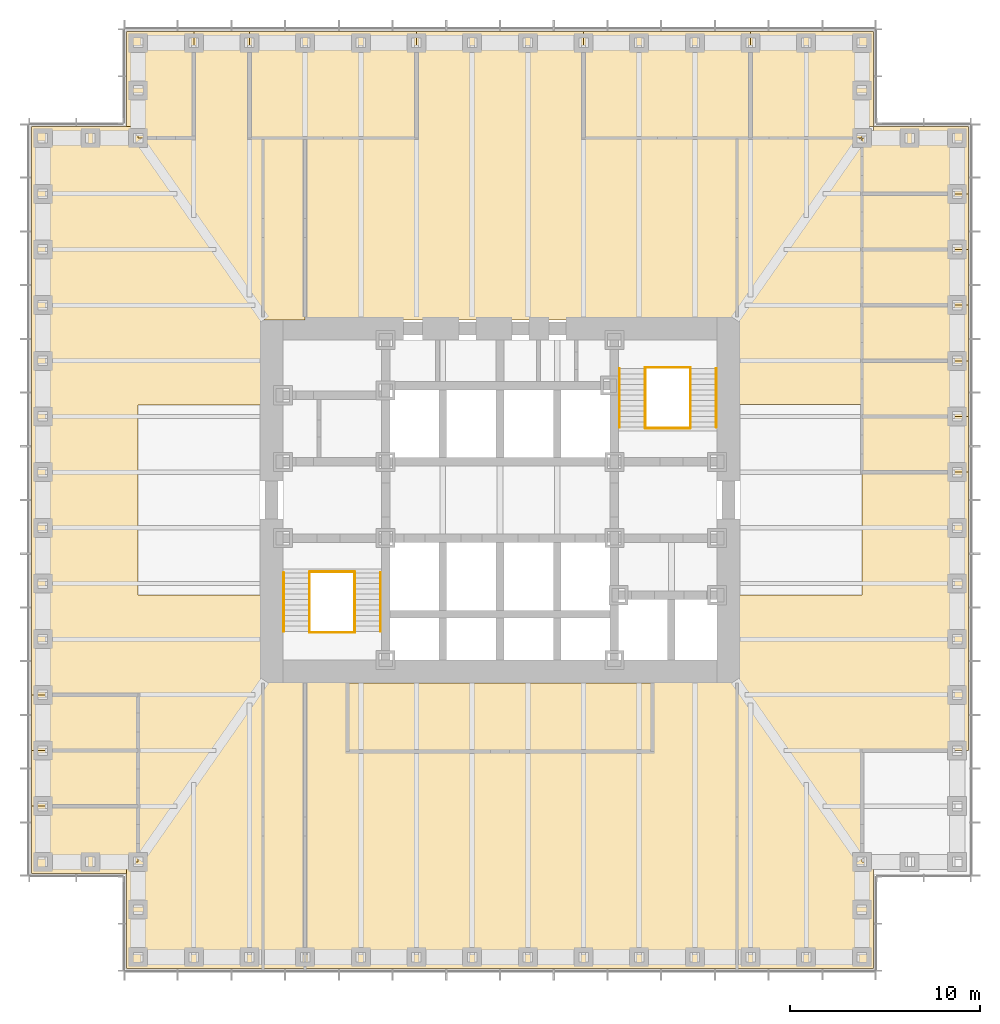
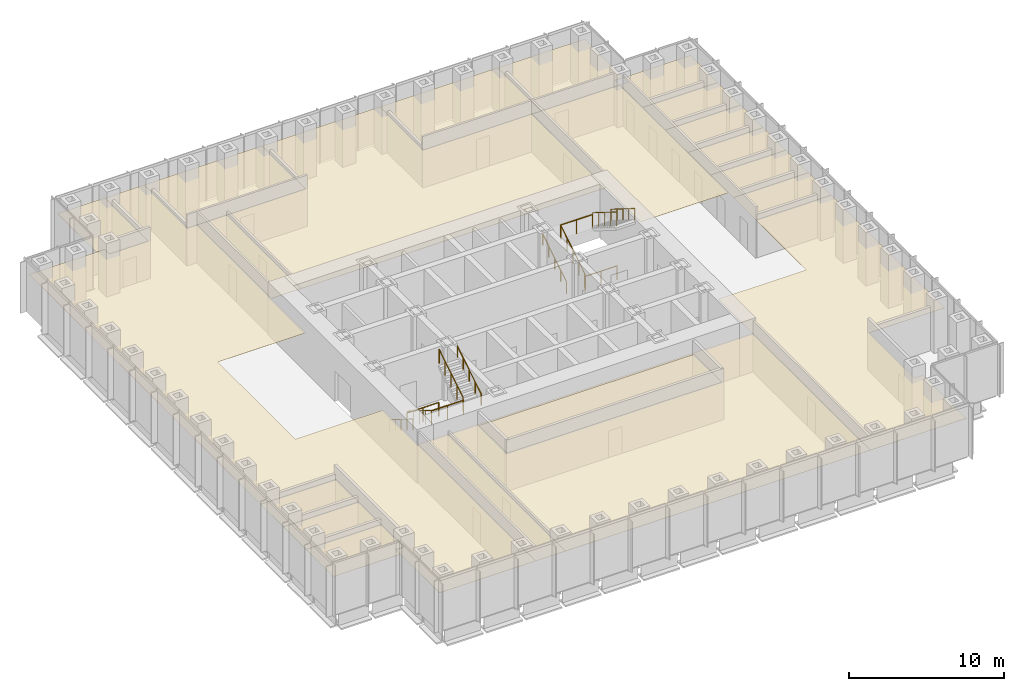
# One storey, part 16 of 16: 21 coverings, 12 railings.
"""IFC4 building model written with IfcOpenShell, lengths in metres."""

from ifc_helpers import new_model, si_unit, direction, frame, origin, origin_2d, place, context, subcontext, project, spatial, polyline, circle, outline, extrude, material, layer, layer_set, type_object, element, save


model = new_model("IFC4")

# Units and contexts
model_context = context("Model", 3, precision=1e-05, world=origin(), true_north=direction((0.0, 1.0)))
body_context = subcontext(model_context, "Body", "Model", "MODEL_VIEW")
ifc_project = project(units=[si_unit("LENGTHUNIT", "METRE"), si_unit("AREAUNIT", "SQUARE_METRE"), si_unit("VOLUMEUNIT", "CUBIC_METRE"), si_unit("PLANEANGLEUNIT", "RADIAN"), si_unit("MASSUNIT", "GRAM", prefix="KILO")], contexts=[model_context])

# Site, building, storey
site_placement = place(None, origin())
site = spatial("IfcSite", under=ifc_project, at=site_placement, CompositionType="ELEMENT")
building_placement = place(site_placement, origin())
building = spatial("IfcBuilding", under=site, at=building_placement, Name="Daluyong Arena Tower", CompositionType="ELEMENT")
storey_placement = place(building_placement, frame((0.0, 0.0, 51.699951171875)))
storey = spatial("IfcBuildingStorey", under=building, at=storey_placement, Name="L10", CompositionType="ELEMENT", Elevation=51.699951171875)

# Coverings
ifc_material_1 = material(Name="Mineral fibre ceiling tile", Category="gypsum board")
ifc_layer = layer(ifc_material_1, 0.02001953125)
ifc_layer_set = layer_set([ifc_layer], Name="Mineral fibre ceiling tile")
covering_type = type_object("IfcCoveringType", Name="Office ceiling", PredefinedType="CEILING", material=ifc_layer_set)
covering_1_placement = place(storey_placement, frame((0.0, 0.0, 2.900146484375)))
element("IfcCovering", 1, at=covering_1_placement, inside=storey, type_object=covering_type, Name="ceiling L10-02", PredefinedType="CEILING", context=body_context, shape_type="SweptSolid", body=[
    extrude(outline(polyline([(75.0, 81.46142578125), (80.60009765625, 81.46142578125), (80.60009765625, 84.384521484375), (75.0, 84.384521484375), (75.0, 81.46142578125)])), origin(), (0.0, 0.0, 1.0), 0.02001953125),
])
covering_2_placement = place(storey_placement, frame((0.0, 0.0, 2.900146484375)))
element("IfcCovering", 2, at=covering_2_placement, inside=storey, type_object=covering_type, Name="ceiling L10-03", PredefinedType="CEILING", context=body_context, shape_type="SweptSolid", body=[
    extrude(outline(polyline([(75.0, 84.384521484375), (80.60009765625, 84.384521484375), (80.60009765625, 87.3076171875), (75.0, 87.3076171875), (75.0, 84.384521484375)])), origin(), (0.0, 0.0, 1.0), 0.02001953125),
])
covering_3_placement = place(storey_placement, frame((0.0, 0.0, 2.900146484375)))
element("IfcCovering", 3, at=covering_3_placement, inside=storey, type_object=covering_type, Name="ceiling L10-04", PredefinedType="CEILING", context=body_context, shape_type="SweptSolid", body=[
    extrude(outline(polyline([(75.0, 87.3076171875), (80.60009765625, 87.3076171875), (80.60009765625, 90.230712890625), (75.0, 90.230712890625), (75.0, 87.3076171875)])), origin(), (0.0, 0.0, 1.0), 0.02001953125),
])
covering_4_placement = place(storey_placement, frame((0.0, 0.0, 2.900146484375)))
element("IfcCovering", 4, at=covering_4_placement, inside=storey, type_object=covering_type, Name="ceiling L10-05", PredefinedType="CEILING", context=body_context, shape_type="SweptSolid", body=[
    extrude(outline(polyline([(75.0, 90.230712890625), (80.60009765625, 90.230712890625), (80.60009765625, 93.15380859375), (75.0, 93.15380859375), (75.0, 90.230712890625)])), origin(), (0.0, 0.0, 1.0), 0.02001953125),
])
covering_5_placement = place(storey_placement, frame((0.0, 0.0, 2.900146484375)))
element("IfcCovering", 5, at=covering_5_placement, inside=storey, type_object=covering_type, Name="ceiling L10-06", PredefinedType="CEILING", context=body_context, shape_type="SweptSolid", body=[
    extrude(outline(polyline([(75.0, 93.15380859375), (80.60009765625, 93.15380859375), (80.60009765625, 96.076904296875), (75.0, 96.076904296875), (75.0, 93.15380859375)])), origin(), (0.0, 0.0, 1.0), 0.02001953125),
])
covering_6_placement = place(storey_placement, frame((0.0, 0.0, 2.900146484375)))
element("IfcCovering", 6, at=covering_6_placement, inside=storey, type_object=covering_type, Name="ceiling L10-07", PredefinedType="CEILING", context=body_context, shape_type="SweptSolid", body=[
    extrude(outline(polyline([(75.0, 96.076904296875), (80.60009765625, 96.076904296875), (80.60009765625, 99.60009765625), (75.60009765625, 99.60009765625), (75.60009765625, 99.0), (75.0, 99.0), (75.0, 96.076904296875)])), origin(), (0.0, 0.0, 1.0), 0.02001953125),
])
covering_7_placement = place(storey_placement, frame((0.0, 0.0, 2.900146484375)))
element("IfcCovering", 7, at=covering_7_placement, inside=storey, type_object=covering_type, Name="ceiling L10-08", PredefinedType="CEILING", context=body_context, shape_type="SweptSolid", body=[
    extrude(outline(polyline([(39.923095703125, 99.0), (39.923095703125, 104.60009765625), (36.39990234375, 104.60009765625), (36.39990234375, 99.60009765625), (37.0, 99.60009765625), (37.0, 99.0), (39.923095703125, 99.0)])), origin(), (0.0, 0.0, 1.0), 0.02001953125),
])
covering_8_placement = place(storey_placement, frame((0.0, 0.0, 2.900146484375)))
element("IfcCovering", 8, at=covering_8_placement, inside=storey, type_object=covering_type, Name="ceiling L10-09", PredefinedType="CEILING", context=body_context, shape_type="SweptSolid", body=[
    extrude(outline(polyline([(51.615478515625, 99.0), (51.615478515625, 104.60009765625), (42.84619140625, 104.60009765625), (42.84619140625, 99.0), (51.615478515625, 99.0)])), origin(), (0.0, 0.0, 1.0), 0.02001953125),
])
covering_9_placement = place(storey_placement, frame((0.0, 0.0, 2.900146484375)))
element("IfcCovering", 9, at=covering_9_placement, inside=storey, type_object=covering_type, Name="ceiling L10-10", PredefinedType="CEILING", context=body_context, shape_type="SweptSolid", body=[
    extrude(outline(polyline([(69.15380859375, 99.0), (69.15380859375, 104.60009765625), (60.384521484375, 104.60009765625), (60.384521484375, 99.0), (69.15380859375, 99.0)])), origin(), (0.0, 0.0, 1.0), 0.02001953125),
])
covering_10_placement = place(storey_placement, frame((0.0, 0.0, 2.900146484375)))
element("IfcCovering", 10, at=covering_10_placement, inside=storey, type_object=covering_type, Name="ceiling L10-11", PredefinedType="CEILING", context=body_context, shape_type="SweptSolid", body=[
    extrude(outline(polyline([(69.15380859375, 99.0), (75.0, 99.0), (75.0, 99.60009765625), (75.60009765625, 99.60009765625), (75.60009765625, 104.60009765625), (69.15380859375, 104.60009765625), (69.15380859375, 99.0)])), origin(), (0.0, 0.0, 1.0), 0.02001953125),
])
covering_11_placement = place(storey_placement, frame((0.0, 0.0, 2.900146484375)))
element("IfcCovering", 11, at=covering_11_placement, inside=storey, type_object=covering_type, Name="ceiling L10-12", PredefinedType="CEILING", context=body_context, shape_type="SweptSolid", body=[
    extrude(outline(polyline([(31.39990234375, 60.39990234375), (36.39990234375, 60.39990234375), (36.39990234375, 61.0), (37.0, 61.0), (37.0, 63.923095703125), (31.39990234375, 63.923095703125), (31.39990234375, 60.39990234375)])), origin(), (0.0, 0.0, 1.0), 0.02001953125),
])
covering_12_placement = place(storey_placement, frame((0.0, 0.0, 2.900146484375)))
element("IfcCovering", 12, at=covering_12_placement, inside=storey, type_object=covering_type, Name="ceiling L10-13", PredefinedType="CEILING", context=body_context, shape_type="SweptSolid", body=[
    extrude(outline(polyline([(37.0, 66.84619140625), (31.39990234375, 66.84619140625), (31.39990234375, 63.923095703125), (37.0, 63.923095703125), (37.0, 66.84619140625)])), origin(), (0.0, 0.0, 1.0), 0.02001953125),
])
covering_13_placement = place(storey_placement, frame((0.0, 0.0, 2.900146484375)))
element("IfcCovering", 13, at=covering_13_placement, inside=storey, type_object=covering_type, Name="ceiling L10-14", PredefinedType="CEILING", context=body_context, shape_type="SweptSolid", body=[
    extrude(outline(polyline([(37.0, 69.769287109375), (31.39990234375, 69.769287109375), (31.39990234375, 66.84619140625), (37.0, 66.84619140625), (37.0, 69.769287109375)])), origin(), (0.0, 0.0, 1.0), 0.02001953125),
])
covering_14_placement = place(storey_placement, frame((0.0, 0.0, 2.900146484375)))
element("IfcCovering", 14, at=covering_14_placement, inside=storey, type_object=covering_type, Name="ceiling L10-15", PredefinedType="CEILING", context=body_context, shape_type="SweptSolid", body=[
    extrude(outline(polyline([(48.0, 66.800048828125), (64.0, 66.800048828125), (64.0, 70.39990234375), (48.0, 70.39990234375), (48.0, 66.800048828125)])), origin(), (0.0, 0.0, 1.0), 0.02001953125),
])
covering_15_placement = place(storey_placement, frame((0.0, 0.0, 2.900146484375)))
element("IfcCovering", 15, at=covering_15_placement, inside=storey, type_object=covering_type, Name="ceiling L10-18", PredefinedType="CEILING", context=body_context, shape_type="SweptSolid", body=[
    extrude(outline(polyline([(74.989990234375, 98.989990234375), (68.4599609375, 98.989990234375), (68.4599609375, 85.010009765625), (74.989990234375, 85.010009765625), (74.989990234375, 98.989990234375)])), origin(), (0.0, 0.0, 1.0), 0.02001953125),
])
covering_16_placement = place(storey_placement, frame((0.0, 0.0, 2.900146484375)))
element("IfcCovering", 16, at=covering_16_placement, inside=storey, type_object=covering_type, Name="ceiling L10-19", PredefinedType="CEILING", context=body_context, shape_type="SweptSolid", body=[
    extrude(outline(polyline([(68.449951171875, 75.0), (68.449951171875, 55.39990234375), (75.60009765625, 55.39990234375), (75.60009765625, 61.0), (75.0, 61.0), (75.0, 66.84619140625), (80.60009765625, 66.84619140625), (80.60009765625, 81.46142578125), (75.0, 81.46142578125), (75.0, 75.0), (68.449951171875, 75.0)])), origin(), (0.0, 0.0, 1.0), 0.02001953125),
])
covering_17_placement = place(storey_placement, frame((0.0, 0.0, 2.900146484375)))
element("IfcCovering", 17, at=covering_17_placement, inside=storey, type_object=covering_type, Name="ceiling L10-20", PredefinedType="CEILING", context=body_context, shape_type="SweptSolid", body=[
    extrude(outline(polyline([(37.0, 99.0), (37.0, 99.60009765625), (31.39990234375, 99.60009765625), (31.39990234375, 69.769287109375), (37.0, 69.769287109375), (37.0, 61.0), (36.39990234375, 61.0), (36.39990234375, 55.39990234375), (43.550048828125, 55.39990234375), (43.550048828125, 75.0), (37.0, 75.0), (37.0, 85.0), (43.550048828125, 85.0), (43.550048828125, 99.0), (42.84619140625, 99.0), (42.84619140625, 104.60009765625), (39.923095703125, 104.60009765625), (39.923095703125, 99.0), (37.0, 99.0)])), origin(), (0.0, 0.0, 1.0), 0.02001953125),
])
covering_18_placement = place(storey_placement, frame((0.0, 0.0, 2.900146484375)))
element("IfcCovering", 18, at=covering_18_placement, inside=storey, type_object=covering_type, Name="ceiling L10-21", PredefinedType="CEILING", context=body_context, shape_type="SweptSolid", body=[
    extrude(outline(polyline([(45.769287109375, 70.550048828125), (43.550048828125, 70.550048828125), (43.550048828125, 55.39990234375), (45.769287109375, 55.39990234375), (45.769287109375, 70.550048828125)])), origin(), (0.0, 0.0, 1.0), 0.02001953125),
])
covering_19_placement = place(storey_placement, frame((0.0, 0.0, 2.900146484375)))
element("IfcCovering", 19, at=covering_19_placement, inside=storey, type_object=covering_type, Name="ceiling L10-22", PredefinedType="CEILING", context=body_context, shape_type="SweptSolid", body=[
    extrude(outline(polyline([(68.449951171875, 70.550048828125), (45.769287109375, 70.550048828125), (45.769287109375, 55.39990234375), (68.449951171875, 55.39990234375), (68.449951171875, 70.550048828125)]), holes=[polyline([(48.0, 66.800048828125), (48.0, 70.39990234375), (64.0, 70.39990234375), (64.0, 66.800048828125), (48.0, 66.800048828125)])]), origin(), (0.0, 0.0, 1.0), 0.02001953125),
])
covering_20_placement = place(storey_placement, frame((0.0, 0.0, 2.900146484375)))
element("IfcCovering", 20, at=covering_20_placement, inside=storey, type_object=covering_type, Name="ceiling L10-23", PredefinedType="CEILING", context=body_context, shape_type="SweptSolid", body=[
    extrude(outline(polyline([(45.769287109375, 99.0), (43.550048828125, 99.0), (43.550048828125, 89.449951171875), (45.769287109375, 89.449951171875), (45.769287109375, 99.0)])), origin(), (0.0, 0.0, 1.0), 0.02001953125),
])
covering_21_placement = place(storey_placement, frame((0.0, 0.0, 2.900146484375)))
element("IfcCovering", 21, at=covering_21_placement, inside=storey, type_object=covering_type, Name="ceiling L10-24", PredefinedType="CEILING", context=body_context, shape_type="SweptSolid", body=[
    extrude(outline(polyline([(51.615478515625, 99.0), (45.769287109375, 99.0), (45.769287109375, 89.449951171875), (68.449951171875, 89.449951171875), (68.449951171875, 99.0), (60.384521484375, 99.0), (60.384521484375, 104.60009765625), (51.615478515625, 104.60009765625), (51.615478515625, 99.0)])), origin(), (0.0, 0.0, 1.0), 0.02001953125),
])

# Railings
ifc_material_2 = material(Name="Stainless steel handrail", Category="steel")
railing_type_1 = type_object("IfcRailingType", Name="Stair handrail", PredefinedType="HANDRAIL", material=ifc_material_2)
railing_1_placement = place(storey_placement, frame((44.64990234375, 76.175048828125, 0.175048828125)))
element("IfcRailing", 22, at=railing_1_placement, inside=storey, type_object=railing_type_1, Name="exit stair A handrail L10", PredefinedType="HANDRAIL", context=body_context, shape_type="SweptSolid", body=[
    extrude(circle(Radius=0.02392578125, at=origin_2d()), frame((0.0, 0.0, 0.8759765625), z_axis=(0.0, -0.847998304005, 0.529998940003), x_axis=(1.0, 0.0, 0.0)), (0.0, 0.0, 1.0), 3.632080078125),
    extrude(circle(Radius=0.02099609375, at=origin_2d()), origin(), (0.0, 0.0, 1.0), 0.851806640625),
    extrude(circle(Radius=0.02099609375, at=origin_2d()), frame((0.0, -0.77001953125, 0.481201171875)), (0.0, 0.0, 1.0), 0.851806640625),
    extrude(circle(Radius=0.02099609375, at=origin_2d()), frame((0.0, -1.5400390625, 0.96240234375)), (0.0, 0.0, 1.0), 0.851806640625),
    extrude(circle(Radius=0.02099609375, at=origin_2d()), frame((0.0, -2.31005859375, 1.44384765625)), (0.0, 0.0, 1.0), 0.851806640625),
    extrude(circle(Radius=0.02099609375, at=origin_2d()), frame((0.0, -3.080078125, 1.925048828125)), (0.0, 0.0, 1.0), 0.851806640625),
])
railing_2_placement = place(storey_placement, frame((49.72509765625, 73.094970703125, 2.275146484375)))
element("IfcRailing", 23, at=railing_2_placement, inside=storey, type_object=railing_type_1, Name="exit stair A handrail L10", PredefinedType="HANDRAIL", context=body_context, shape_type="SweptSolid", body=[
    extrude(circle(Radius=0.02392578125, at=origin_2d()), frame((0.0, 0.0, 0.8759765625), z_axis=(0.0, 0.848028513186, 0.529950602248), x_axis=(-1.0, 0.0, 0.0)), (0.0, 0.0, 1.0), 3.632080078125),
    extrude(circle(Radius=0.02099609375, at=origin_2d()), origin(), (0.0, 0.0, 1.0), 0.851806640625),
    extrude(circle(Radius=0.02099609375, at=origin_2d()), frame((0.0, 0.77001953125, 0.481201171875)), (0.0, 0.0, 1.0), 0.851806640625),
    extrude(circle(Radius=0.02099609375, at=origin_2d()), frame((0.0, 1.5400390625, 0.96240234375)), (0.0, 0.0, 1.0), 0.851806640625),
    extrude(circle(Radius=0.02099609375, at=origin_2d()), frame((0.0, 2.31005859375, 1.443603515625)), (0.0, 0.0, 1.0), 0.851806640625),
    extrude(circle(Radius=0.02099609375, at=origin_2d()), frame((0.0, 3.080078125, 1.9248046875)), (0.0, 0.0, 1.0), 0.851806640625),
])
railing_3_placement = place(storey_placement, frame((62.27490234375, 83.824951171875, 0.175048828125)))
element("IfcRailing", 24, at=railing_3_placement, inside=storey, type_object=railing_type_1, Name="exit stair B handrail L10", PredefinedType="HANDRAIL", context=body_context, shape_type="SweptSolid", body=[
    extrude(circle(Radius=0.02392578125, at=origin_2d()), frame((0.0, 0.0, 0.8759765625), z_axis=(0.0, 0.847998304005, 0.529998940003), x_axis=(-1.0, 0.0, 0.0)), (0.0, 0.0, 1.0), 3.632080078125),
    extrude(circle(Radius=0.02099609375, at=origin_2d()), origin(), (0.0, 0.0, 1.0), 0.851806640625),
    extrude(circle(Radius=0.02099609375, at=origin_2d()), frame((0.0, 0.77001953125, 0.481201171875)), (0.0, 0.0, 1.0), 0.851806640625),
    extrude(circle(Radius=0.02099609375, at=origin_2d()), frame((0.0, 1.5400390625, 0.96240234375)), (0.0, 0.0, 1.0), 0.851806640625),
    extrude(circle(Radius=0.02099609375, at=origin_2d()), frame((0.0, 2.31005859375, 1.44384765625)), (0.0, 0.0, 1.0), 0.851806640625),
    extrude(circle(Radius=0.02099609375, at=origin_2d()), frame((0.0, 3.080078125, 1.925048828125)), (0.0, 0.0, 1.0), 0.851806640625),
])
railing_4_placement = place(storey_placement, frame((67.35009765625, 86.905029296875, 2.275146484375)))
element("IfcRailing", 25, at=railing_4_placement, inside=storey, type_object=railing_type_1, Name="exit stair B handrail L10", PredefinedType="HANDRAIL", context=body_context, shape_type="SweptSolid", body=[
    extrude(circle(Radius=0.02392578125, at=origin_2d()), frame((0.0, 0.0, 0.8759765625), z_axis=(0.0, -0.848028513186, 0.529950602248), x_axis=(1.0, 0.0, 0.0)), (0.0, 0.0, 1.0), 3.632080078125),
    extrude(circle(Radius=0.02099609375, at=origin_2d()), origin(), (0.0, 0.0, 1.0), 0.851806640625),
    extrude(circle(Radius=0.02099609375, at=origin_2d()), frame((0.0, -0.77001953125, 0.481201171875)), (0.0, 0.0, 1.0), 0.851806640625),
    extrude(circle(Radius=0.02099609375, at=origin_2d()), frame((0.0, -1.5400390625, 0.96240234375)), (0.0, 0.0, 1.0), 0.851806640625),
    extrude(circle(Radius=0.02099609375, at=origin_2d()), frame((0.0, -2.31005859375, 1.443603515625)), (0.0, 0.0, 1.0), 0.851806640625),
    extrude(circle(Radius=0.02099609375, at=origin_2d()), frame((0.0, -3.080078125, 1.9248046875)), (0.0, 0.0, 1.0), 0.851806640625),
])
ifc_material_3 = material(Name="Steel balustrade", Category="steel")
railing_type_2 = type_object("IfcRailingType", Name="Stair well guard 1100", PredefinedType="GUARDRAIL", material=ifc_material_3)
railing_5_placement = place(storey_placement, frame((46.0, 76.175048828125, 0.175048828125)))
element("IfcRailing", 26, at=railing_5_placement, inside=storey, type_object=railing_type_2, Name="exit stair A well guard L10", PredefinedType="GUARDRAIL", context=body_context, shape_type="SweptSolid", body=[
    extrude(circle(Radius=0.02392578125, at=origin_2d()), frame((0.0, 0.0, 1.076171875), z_axis=(0.0, -0.847998304005, 0.529998940003), x_axis=(1.0, 0.0, 0.0)), (0.0, 0.0, 1.0), 3.632080078125),
    extrude(circle(Radius=0.02099609375, at=origin_2d()), origin(), (0.0, 0.0, 1.0), 1.052001953125),
    extrude(circle(Radius=0.02099609375, at=origin_2d()), frame((0.0, -0.77001953125, 0.481201171875)), (0.0, 0.0, 1.0), 1.052001953125),
    extrude(circle(Radius=0.02099609375, at=origin_2d()), frame((0.0, -1.5400390625, 0.96240234375)), (0.0, 0.0, 1.0), 1.052001953125),
    extrude(circle(Radius=0.02099609375, at=origin_2d()), frame((0.0, -2.31005859375, 1.44384765625)), (0.0, 0.0, 1.0), 1.052001953125),
    extrude(circle(Radius=0.02099609375, at=origin_2d()), frame((0.0, -3.080078125, 1.925048828125)), (0.0, 0.0, 1.0), 1.052001953125),
])
railing_6_placement = place(storey_placement, frame((48.375, 73.094970703125, 2.275146484375)))
element("IfcRailing", 27, at=railing_6_placement, inside=storey, type_object=railing_type_2, Name="exit stair A well guard L10", PredefinedType="GUARDRAIL", context=body_context, shape_type="SweptSolid", body=[
    extrude(circle(Radius=0.02392578125, at=origin_2d()), frame((0.0, 0.0, 1.076171875), z_axis=(0.0, 0.848028513186, 0.529950602248), x_axis=(-1.0, 0.0, 0.0)), (0.0, 0.0, 1.0), 3.632080078125),
    extrude(circle(Radius=0.02099609375, at=origin_2d()), origin(), (0.0, 0.0, 1.0), 1.052001953125),
    extrude(circle(Radius=0.02099609375, at=origin_2d()), frame((0.0, 0.77001953125, 0.481201171875)), (0.0, 0.0, 1.0), 1.052001953125),
    extrude(circle(Radius=0.02099609375, at=origin_2d()), frame((0.0, 1.5400390625, 0.96240234375)), (0.0, 0.0, 1.0), 1.052001953125),
    extrude(circle(Radius=0.02099609375, at=origin_2d()), frame((0.0, 2.31005859375, 1.443603515625)), (0.0, 0.0, 1.0), 1.052001953125),
    extrude(circle(Radius=0.02099609375, at=origin_2d()), frame((0.0, 3.080078125, 1.9248046875)), (0.0, 0.0, 1.0), 1.052001953125),
])
for number, where, name in (
    (28, (46.0, 73.044921875, 2.10009765625), "exit stair A landing guard L10"),
    (29, (46.0, 76.22509765625, 0.0), "exit stair A floor landing guard L10"),
):
    element("IfcRailing", number, at=place(storey_placement, frame(where)), inside=storey, type_object=railing_type_2, Name=name, PredefinedType="GUARDRAIL", context=body_context, shape_type="SweptSolid", body=[
        extrude(circle(Radius=0.02392578125, at=origin_2d()), frame((0.0, 0.0, 1.076171875), z_axis=(1.0, 0.0, 0.0), x_axis=(0.0, 1.0, 0.0)), (0.0, 0.0, 1.0), 2.375),
        extrude(circle(Radius=0.02099609375, at=origin_2d()), origin(), (0.0, 0.0, 1.0), 1.052001953125),
        extrude(circle(Radius=0.02099609375, at=origin_2d()), frame((1.1875, 0.0, 0.0)), (0.0, 0.0, 1.0), 1.052001953125),
        extrude(circle(Radius=0.02099609375, at=origin_2d()), frame((2.375, 0.0, 0.0)), (0.0, 0.0, 1.0), 1.052001953125),
    ])
railing_7_placement = place(storey_placement, frame((63.625, 83.824951171875, 0.175048828125)))
element("IfcRailing", 30, at=railing_7_placement, inside=storey, type_object=railing_type_2, Name="exit stair B well guard L10", PredefinedType="GUARDRAIL", context=body_context, shape_type="SweptSolid", body=[
    extrude(circle(Radius=0.02392578125, at=origin_2d()), frame((0.0, 0.0, 1.076171875), z_axis=(0.0, 0.847998304005, 0.529998940003), x_axis=(-1.0, 0.0, 0.0)), (0.0, 0.0, 1.0), 3.632080078125),
    extrude(circle(Radius=0.02099609375, at=origin_2d()), origin(), (0.0, 0.0, 1.0), 1.052001953125),
    extrude(circle(Radius=0.02099609375, at=origin_2d()), frame((0.0, 0.77001953125, 0.481201171875)), (0.0, 0.0, 1.0), 1.052001953125),
    extrude(circle(Radius=0.02099609375, at=origin_2d()), frame((0.0, 1.5400390625, 0.96240234375)), (0.0, 0.0, 1.0), 1.052001953125),
    extrude(circle(Radius=0.02099609375, at=origin_2d()), frame((0.0, 2.31005859375, 1.44384765625)), (0.0, 0.0, 1.0), 1.052001953125),
    extrude(circle(Radius=0.02099609375, at=origin_2d()), frame((0.0, 3.080078125, 1.925048828125)), (0.0, 0.0, 1.0), 1.052001953125),
])
railing_8_placement = place(storey_placement, frame((66.0, 86.905029296875, 2.275146484375)))
element("IfcRailing", 31, at=railing_8_placement, inside=storey, type_object=railing_type_2, Name="exit stair B well guard L10", PredefinedType="GUARDRAIL", context=body_context, shape_type="SweptSolid", body=[
    extrude(circle(Radius=0.02392578125, at=origin_2d()), frame((0.0, 0.0, 1.076171875), z_axis=(0.0, -0.848028513186, 0.529950602248), x_axis=(1.0, 0.0, 0.0)), (0.0, 0.0, 1.0), 3.632080078125),
    extrude(circle(Radius=0.02099609375, at=origin_2d()), origin(), (0.0, 0.0, 1.0), 1.052001953125),
    extrude(circle(Radius=0.02099609375, at=origin_2d()), frame((0.0, -0.77001953125, 0.481201171875)), (0.0, 0.0, 1.0), 1.052001953125),
    extrude(circle(Radius=0.02099609375, at=origin_2d()), frame((0.0, -1.5400390625, 0.96240234375)), (0.0, 0.0, 1.0), 1.052001953125),
    extrude(circle(Radius=0.02099609375, at=origin_2d()), frame((0.0, -2.31005859375, 1.443603515625)), (0.0, 0.0, 1.0), 1.052001953125),
    extrude(circle(Radius=0.02099609375, at=origin_2d()), frame((0.0, -3.080078125, 1.9248046875)), (0.0, 0.0, 1.0), 1.052001953125),
])
for number, where, name in (
    (32, (63.625, 86.955078125, 2.10009765625), "exit stair B landing guard L10"),
    (33, (63.625, 83.77490234375, 0.0), "exit stair B floor landing guard L10"),
):
    element("IfcRailing", number, at=place(storey_placement, frame(where)), inside=storey, type_object=railing_type_2, Name=name, PredefinedType="GUARDRAIL", context=body_context, shape_type="SweptSolid", body=[
        extrude(circle(Radius=0.02392578125, at=origin_2d()), frame((0.0, 0.0, 1.076171875), z_axis=(1.0, 0.0, 0.0), x_axis=(0.0, 1.0, 0.0)), (0.0, 0.0, 1.0), 2.375),
        extrude(circle(Radius=0.02099609375, at=origin_2d()), origin(), (0.0, 0.0, 1.0), 1.052001953125),
        extrude(circle(Radius=0.02099609375, at=origin_2d()), frame((1.1875, 0.0, 0.0)), (0.0, 0.0, 1.0), 1.052001953125),
        extrude(circle(Radius=0.02099609375, at=origin_2d()), frame((2.375, 0.0, 0.0)), (0.0, 0.0, 1.0), 1.052001953125),
    ])

save(model, "model.ifc")
